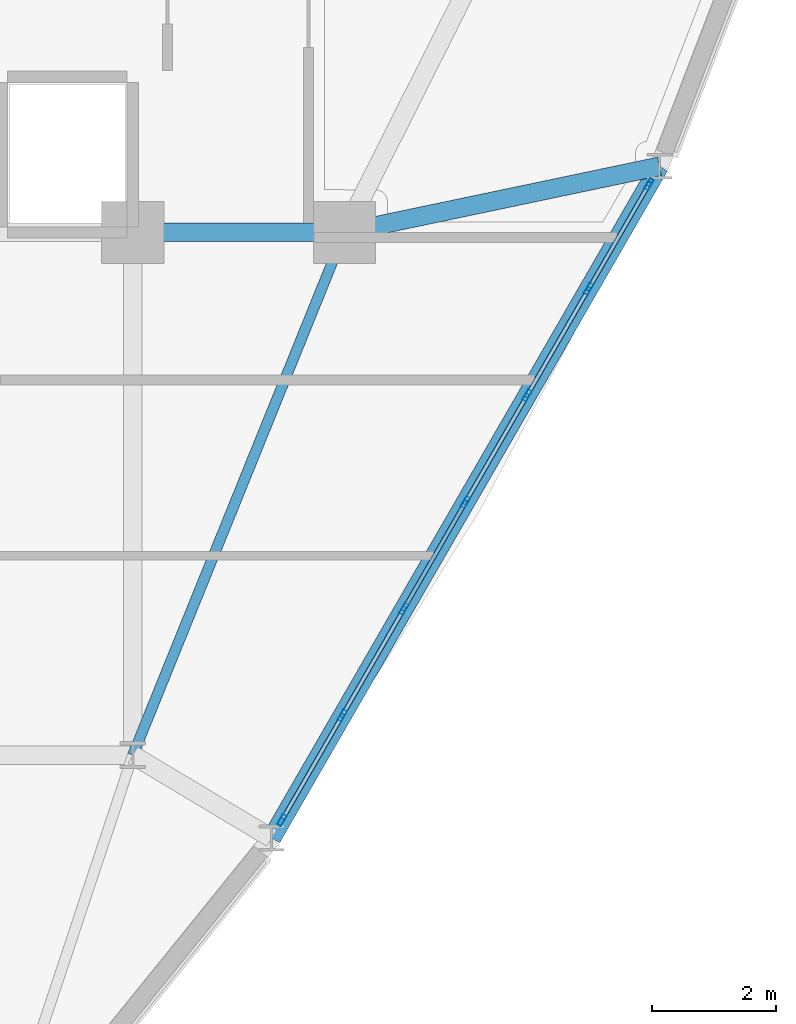
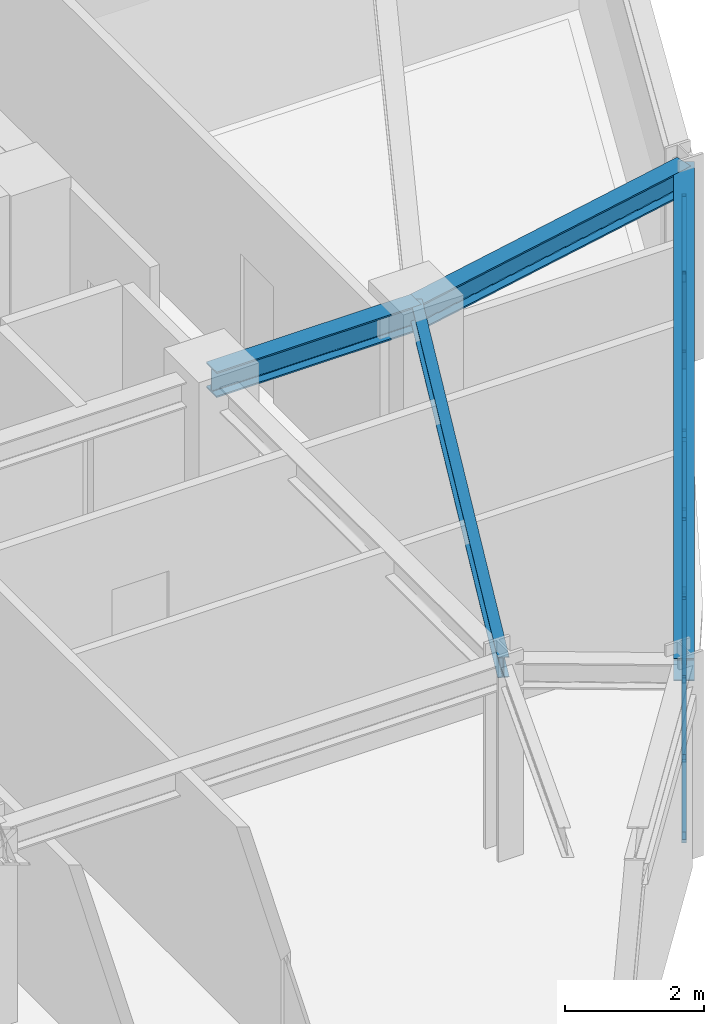
# One storey, part 6 of 14: 21 members, 4 beams, 1 element without a shape of its own.
"""IFC4 building model written with IfcOpenShell, lengths in metres."""

from ifc_helpers import new_model, si_unit, derived_unit, direction, frame, origin, origin_2d, place, context, subcontext, project, spatial, hollow_rectangle, i_section, extrude, source, transform, mapped, material, layer, layer_set, material_profile, profile_set, type_object, element, aggregate, save


model = new_model("IFC4")

# Units and contexts
model_context = context("Model", 3, precision=1e-05, world=origin(), true_north=direction((0.0, 1.0)))
body_context = subcontext(model_context, "Body", "Model", "MODEL_VIEW")
ifc_project = project(units=[si_unit("LENGTHUNIT", "METRE"), si_unit("AREAUNIT", "SQUARE_METRE"), si_unit("VOLUMEUNIT", "CUBIC_METRE"), si_unit("PLANEANGLEUNIT", "RADIAN"), si_unit("MASSUNIT", "GRAM", prefix="KILO"), derived_unit("THERMALTRANSMITTANCEUNIT", [(si_unit("POWERUNIT", "WATT"), 1), (si_unit("LENGTHUNIT", "METRE"), -2), (si_unit("THERMODYNAMICTEMPERATUREUNIT", "KELVIN"), -1)])], contexts=[model_context])

# Site, building, storey
site_placement = place(None, origin())
site = spatial("IfcSite", under=ifc_project, at=site_placement, CompositionType="ELEMENT")
building_placement = place(site_placement, origin())
building = spatial("IfcBuilding", under=site, at=building_placement, Name="Korsvarv Bourse and Concert Hall", CompositionType="ELEMENT")
storey_placement = place(building_placement, frame((0.0, 0.0, 193.800048828125)))
storey = spatial("IfcBuildingStorey", under=building, at=storey_placement, Name="L50", CompositionType="ELEMENT", Elevation=193.800048828125)

# Beams
ifc_material_1 = material(Name="Steel S355", Category="steel")
ifc_material_profile_1 = material_profile(ifc_material_1, i_section(OverallWidth=0.169921875, OverallDepth=0.360107421875, WebThickness=0.008056640625, FlangeThickness=0.0126953125, FilletRadius=0.01806640625, at=origin_2d()), Name="IPE 360")
ifc_profile_set_1 = profile_set([ifc_material_profile_1], Name="Steel S355")
beam_type_1 = type_object("IfcBeamType", Name="BM-IPE360", PredefinedType="JOIST", material=ifc_profile_set_1)
shared_shape_1 = source(origin(), body_context, "Body", "SweptSolid", [
    extrude(i_section(OverallWidth=0.169921875, OverallDepth=0.360107421875, WebThickness=0.008056640625, FlangeThickness=0.0126953125, FilletRadius=0.01806640625, at=origin_2d()), origin(), (0.0, 0.0, 1.0), 9.06201171875),
])
beam_1_placement = place(storey_placement, frame((47.800048828125, 32.39990234375, 3.219970703125), z_axis=(-0.375210394783, -0.926939674222, 0.0), x_axis=(0.926939674222, -0.375210394783, 0.0)))
element("IfcBeam", 1, at=beam_1_placement, inside=storey, type_object=beam_type_1, Name="L50 beam J-06", PredefinedType="JOIST", context=body_context, shape_type="MappedRepresentation", body=[
    mapped(shared_shape_1, transform((0.0, 0.0, 0.0), scale=1.0)),
])
ifc_material_profile_2 = material_profile(ifc_material_1, i_section(OverallWidth=0.300048828125, OverallDepth=0.449951171875, WebThickness=0.013916015625, FlangeThickness=0.02587890625, FilletRadius=0.02099609375, at=origin_2d()), Name="HEB 450")
ifc_profile_set_2 = profile_set([ifc_material_profile_2], Name="Steel S355")
beam_type_2 = type_object("IfcBeamType", Name="BM-HEB450", PredefinedType="SPANDREL", material=ifc_profile_set_2)
shared_shape_2 = source(origin(), body_context, "Body", "SweptSolid", [
    extrude(i_section(OverallWidth=0.300048828125, OverallDepth=0.449951171875, WebThickness=0.013916015625, FlangeThickness=0.02587890625, FilletRadius=0.02099609375, at=origin_2d()), origin(), (0.0, 0.0, 1.0), 3.400146484375),
])
beam_2_placement = place(storey_placement, frame((44.39990234375, 32.39990234375, 3.175048828125), z_axis=(1.0, 0.0, 0.0), x_axis=(0.0, 1.0, 0.0)))
element("IfcBeam", 2, at=beam_2_placement, inside=storey, type_object=beam_type_2, Name="L50 beam B-08", PredefinedType="SPANDREL", context=body_context, shape_type="MappedRepresentation", body=[
    mapped(shared_shape_2, transform((0.0, 0.0, 0.0), scale=1.0)),
])
ifc_material_profile_3 = material_profile(ifc_material_1, i_section(OverallWidth=0.300048828125, OverallDepth=0.389892578125, WebThickness=0.010986328125, FlangeThickness=0.01904296875, FilletRadius=0.02099609375, at=origin_2d()), Name="HEA 400")
ifc_profile_set_3 = profile_set([ifc_material_profile_3], Name="Steel S355")
beam_type_3 = type_object("IfcBeamType", Name="BM-HEA400", PredefinedType="BEAM", material=ifc_profile_set_3)
shared_shape_3 = source(origin(), body_context, "Body", "SweptSolid", [
    extrude(i_section(OverallWidth=0.300048828125, OverallDepth=0.389892578125, WebThickness=0.010986328125, FlangeThickness=0.01904296875, FilletRadius=0.02099609375, at=origin_2d()), origin(), (0.0, 0.0, 1.0), 12.46630859375),
])
beam_3_placement = place(storey_placement, frame((46.62890625, 22.666015625, 3.204833984375), z_axis=(0.499985219902, 0.86603393691, 0.0), x_axis=(-0.86603393691, 0.499985219902, 0.0)))
element("IfcBeam", 3, at=beam_3_placement, inside=storey, type_object=beam_type_3, Name="L50 beam B-11", PredefinedType="BEAM", context=body_context, shape_type="MappedRepresentation", body=[
    mapped(shared_shape_3, transform((0.0, 0.0, 0.0), scale=1.0)),
])
shared_shape_4 = source(origin(), body_context, "Body", "SweptSolid", [
    extrude(i_section(OverallWidth=0.300048828125, OverallDepth=0.449951171875, WebThickness=0.013916015625, FlangeThickness=0.02587890625, FilletRadius=0.02099609375, at=origin_2d()), origin(), (0.0, 0.0, 1.0), 5.172119140625),
])
beam_4_placement = place(storey_placement, frame((52.86181640625, 33.462158203125, 3.175048828125), z_axis=(-0.978681305513, -0.205384766328, 0.0), x_axis=(0.205384766328, -0.978681305513, 0.0)))
element("IfcBeam", 4, at=beam_4_placement, inside=storey, type_object=beam_type_2, Name="L50 beam B-08", PredefinedType="SPANDREL", context=body_context, shape_type="MappedRepresentation", body=[
    mapped(shared_shape_4, transform((0.0, 0.0, 0.0), scale=1.0)),
])

# Curtain wall, members
ifc_material_2 = material(Name="Anodised aluminium and triple low-E glazing", Category="glass")
ifc_layer = layer(ifc_material_2, 0.199951171875)
ifc_layer_set = layer_set([ifc_layer], Name="Anodised aluminium and triple low-E glazing")
curtain_wall_type = type_object("IfcCurtainWallType", Name="CW-SYS-3", PredefinedType="NOTDEFINED", material=ifc_layer_set)
curtain_wall_placement = place(storey_placement, origin())
curtain_wall = element("IfcCurtainWall", 5, at=curtain_wall_placement, inside=storey, type_object=curtain_wall_type, Name="L50 CW3 curtain wall CW-L50-F11", PredefinedType="NOTDEFINED")
ifc_material_3 = material(Name="Extruded aluminium EN AW-6063 T66", Category="aluminium")
ifc_material_profile_4 = material_profile(ifc_material_3, hollow_rectangle(XDim=0.06494140625, YDim=0.139892578125, WallThickness=0.00390625, at=origin_2d()), Name="ALU-T 65x140")
ifc_profile_set_4 = profile_set([ifc_material_profile_4], Name="Extruded aluminium EN AW-6063 T66")
member_type_1 = type_object("IfcMemberType", Name="CWT-140", PredefinedType="USERDEFINED", material=ifc_profile_set_4)
shared_shape_5 = source(origin(), body_context, "Body", "SweptSolid", [
    extrude(hollow_rectangle(XDim=0.06494140625, YDim=0.139892578125, WallThickness=0.00390625, at=origin_2d()), origin(), (0.0, 0.0, 1.0), 1.908447265625),
])
member_1_placement = place(storey_placement, frame((47.784423828125, 24.667724609375, 0.032470703125), z_axis=(0.500032491935, 0.866006643745, 0.0), x_axis=(-0.866006643745, 0.500032491935, 0.0)))
member_1 = element("IfcMember", 6, at=member_1_placement, type_object=member_type_1, Name="CW3 transom 2.1", ObjectType="TRANSOM", PredefinedType="USERDEFINED", context=body_context, shape_type="MappedRepresentation", body=[
    mapped(shared_shape_5, transform((0.0, 0.0, 0.0), scale=1.0)),
])
member_2_placement = place(storey_placement, frame((47.784423828125, 24.667724609375, 2.9775390625), z_axis=(0.500032491935, 0.866006643745, 0.0), x_axis=(-0.866006643745, 0.500032491935, 0.0)))
member_2 = element("IfcMember", 7, at=member_2_placement, type_object=member_type_1, Name="CW3 transom 2.2", ObjectType="TRANSOM", PredefinedType="USERDEFINED", context=body_context, shape_type="MappedRepresentation", body=[
    mapped(shared_shape_5, transform((0.0, 0.0, 0.0), scale=1.0)),
])
member_3_placement = place(storey_placement, frame((48.773681640625, 26.381103515625, 0.032470703125), z_axis=(0.499936548189, 0.866062034606, 0.0), x_axis=(-0.866062034606, 0.499936548189, 0.0)))
member_3 = element("IfcMember", 8, at=member_3_placement, type_object=member_type_1, Name="CW3 transom 3.1", ObjectType="TRANSOM", PredefinedType="USERDEFINED", context=body_context, shape_type="MappedRepresentation", body=[
    mapped(shared_shape_5, transform((0.0, 0.0, 0.0), scale=1.0)),
])
member_4_placement = place(storey_placement, frame((48.773681640625, 26.381103515625, 2.9775390625), z_axis=(0.499936548189, 0.866062034606, 0.0), x_axis=(-0.866062034606, 0.499936548189, 0.0)))
member_4 = element("IfcMember", 9, at=member_4_placement, type_object=member_type_1, Name="CW3 transom 3.2", ObjectType="TRANSOM", PredefinedType="USERDEFINED", context=body_context, shape_type="MappedRepresentation", body=[
    mapped(shared_shape_5, transform((0.0, 0.0, 0.0), scale=1.0)),
])
member_5_placement = place(storey_placement, frame((50.751953125, 29.807861328125, 0.032470703125), z_axis=(0.500087889681, 0.865974654707, 0.0), x_axis=(-0.865974654707, 0.500087889681, 0.0)))
member_5 = element("IfcMember", 10, at=member_5_placement, type_object=member_type_1, Name="CW3 transom 5.1", ObjectType="TRANSOM", PredefinedType="USERDEFINED", context=body_context, shape_type="MappedRepresentation", body=[
    mapped(shared_shape_5, transform((0.0, 0.0, 0.0), scale=1.0)),
])
member_6_placement = place(storey_placement, frame((50.751953125, 29.807861328125, 2.9775390625), z_axis=(0.500087889681, 0.865974654707, 0.0), x_axis=(-0.865974654707, 0.500087889681, 0.0)))
member_6 = element("IfcMember", 11, at=member_6_placement, type_object=member_type_1, Name="CW3 transom 5.2", ObjectType="TRANSOM", PredefinedType="USERDEFINED", context=body_context, shape_type="MappedRepresentation", body=[
    mapped(shared_shape_5, transform((0.0, 0.0, 0.0), scale=1.0)),
])
ifc_material_profile_5 = material_profile(ifc_material_3, hollow_rectangle(XDim=0.070068359375, YDim=0.18994140625, WallThickness=0.0048828125, at=origin_2d()), Name="ALU-M 70x190")
ifc_profile_set_5 = profile_set([ifc_material_profile_5], Name="Extruded aluminium EN AW-6063 T66")
member_type_2 = type_object("IfcMemberType", Name="CWM-190", PredefinedType="MULLION", material=ifc_profile_set_5)
shared_shape_6 = source(origin(), body_context, "Body", "SweptSolid", [
    extrude(hollow_rectangle(XDim=0.070068359375, YDim=0.18994140625, WallThickness=0.0048828125, at=origin_2d()), origin(), (0.0, 0.0, 1.0), 3.010009765625),
])
member_7_placement = place(storey_placement, frame((46.79541015625, 22.954345703125, 0.0), z_axis=(0.0, 0.0, 1.0), x_axis=(-0.866029726531, 0.499992512708, 0.0)))
member_7 = element("IfcMember", 12, at=member_7_placement, type_object=member_type_2, Name="CW3 mullion 1", PredefinedType="MULLION", context=body_context, shape_type="MappedRepresentation", body=[
    mapped(shared_shape_6, transform((0.0, 0.0, 0.0), scale=1.0)),
])
member_8_placement = place(storey_placement, frame((47.76708984375, 24.637451171875, 0.0), z_axis=(0.0, 0.0, 1.0), x_axis=(-0.866029726531, 0.499992512708, 0.0)))
member_8 = element("IfcMember", 13, at=member_8_placement, type_object=member_type_2, Name="CW3 mullion 2", PredefinedType="MULLION", context=body_context, shape_type="MappedRepresentation", body=[
    mapped(shared_shape_6, transform((0.0, 0.0, 0.0), scale=1.0)),
])
member_9_placement = place(storey_placement, frame((48.756103515625, 26.350830078125, 0.0), z_axis=(0.0, 0.0, 1.0), x_axis=(-0.866029726531, 0.499992512708, 0.0)))
member_9 = element("IfcMember", 14, at=member_9_placement, type_object=member_type_2, Name="CW3 mullion 3", PredefinedType="MULLION", context=body_context, shape_type="MappedRepresentation", body=[
    mapped(shared_shape_6, transform((0.0, 0.0, 0.0), scale=1.0)),
])
member_10_placement = place(storey_placement, frame((49.745361328125, 28.064208984375, 0.0), z_axis=(0.0, 0.0, 1.0), x_axis=(-0.866029726531, 0.499992512708, 0.0)))
member_10 = element("IfcMember", 15, at=member_10_placement, type_object=member_type_2, Name="CW3 mullion 4", PredefinedType="MULLION", context=body_context, shape_type="MappedRepresentation", body=[
    mapped(shared_shape_6, transform((0.0, 0.0, 0.0), scale=1.0)),
])
member_11_placement = place(storey_placement, frame((50.734619140625, 29.777587890625, 0.0), z_axis=(0.0, 0.0, 1.0), x_axis=(-0.866029726531, 0.499992512708, 0.0)))
member_11 = element("IfcMember", 16, at=member_11_placement, type_object=member_type_2, Name="CW3 mullion 5", PredefinedType="MULLION", context=body_context, shape_type="MappedRepresentation", body=[
    mapped(shared_shape_6, transform((0.0, 0.0, 0.0), scale=1.0)),
])
member_12_placement = place(storey_placement, frame((51.7236328125, 31.490966796875, 0.0), z_axis=(0.0, 0.0, 1.0), x_axis=(-0.866029726531, 0.499992512708, 0.0)))
member_12 = element("IfcMember", 17, at=member_12_placement, type_object=member_type_2, Name="CW3 mullion 6", PredefinedType="MULLION", context=body_context, shape_type="MappedRepresentation", body=[
    mapped(shared_shape_6, transform((0.0, 0.0, 0.0), scale=1.0)),
])
member_13_placement = place(storey_placement, frame((52.6953125, 33.173828125, 0.0), z_axis=(0.0, 0.0, 1.0), x_axis=(-0.866029726531, 0.499992512708, 0.0)))
member_13 = element("IfcMember", 18, at=member_13_placement, type_object=member_type_2, Name="CW3 mullion 7", PredefinedType="MULLION", context=body_context, shape_type="MappedRepresentation", body=[
    mapped(shared_shape_6, transform((0.0, 0.0, 0.0), scale=1.0)),
])
shared_shape_7 = source(origin(), body_context, "Body", "SweptSolid", [
    extrude(hollow_rectangle(XDim=0.06494140625, YDim=0.139892578125, WallThickness=0.00390625, at=origin_2d()), origin(), (0.0, 0.0, 1.0), 1.873291015625),
])
member_14_placement = place(storey_placement, frame((51.7412109375, 31.521240234375, 0.032470703125), z_axis=(0.500049599607, 0.865996765544, 0.0), x_axis=(-0.865996765544, 0.500049599607, 0.0)))
member_14 = element("IfcMember", 19, at=member_14_placement, type_object=member_type_1, Name="CW3 transom 6.1", ObjectType="TRANSOM", PredefinedType="USERDEFINED", context=body_context, shape_type="MappedRepresentation", body=[
    mapped(shared_shape_7, transform((0.0, 0.0, 0.0), scale=1.0)),
])
member_15_placement = place(storey_placement, frame((51.7412109375, 31.521240234375, 2.9775390625), z_axis=(0.500049599607, 0.865996765544, 0.0), x_axis=(-0.865996765544, 0.500049599607, 0.0)))
member_15 = element("IfcMember", 20, at=member_15_placement, type_object=member_type_1, Name="CW3 transom 6.2", ObjectType="TRANSOM", PredefinedType="USERDEFINED", context=body_context, shape_type="MappedRepresentation", body=[
    mapped(shared_shape_7, transform((0.0, 0.0, 0.0), scale=1.0)),
])
shared_shape_8 = source(origin(), body_context, "Body", "SweptSolid", [
    extrude(hollow_rectangle(XDim=0.06494140625, YDim=0.139892578125, WallThickness=0.00390625, at=origin_2d()), origin(), (0.0, 0.0, 1.0), 1.908203125),
])
member_16_placement = place(storey_placement, frame((49.762939453125, 28.094482421875, 0.032470703125), z_axis=(0.499991942392, 0.866030055796, 0.0), x_axis=(-0.866030055796, 0.499991942392, 0.0)))
member_16 = element("IfcMember", 21, at=member_16_placement, type_object=member_type_1, Name="CW3 transom 4.1", ObjectType="TRANSOM", PredefinedType="USERDEFINED", context=body_context, shape_type="MappedRepresentation", body=[
    mapped(shared_shape_8, transform((0.0, 0.0, 0.0), scale=1.0)),
])
member_17_placement = place(storey_placement, frame((49.762939453125, 28.094482421875, 2.9775390625), z_axis=(0.499991942392, 0.866030055796, 0.0), x_axis=(-0.866030055796, 0.499991942392, 0.0)))
member_17 = element("IfcMember", 22, at=member_17_placement, type_object=member_type_1, Name="CW3 transom 4.2", ObjectType="TRANSOM", PredefinedType="USERDEFINED", context=body_context, shape_type="MappedRepresentation", body=[
    mapped(shared_shape_8, transform((0.0, 0.0, 0.0), scale=1.0)),
])
shared_shape_9 = source(origin(), body_context, "Body", "SweptSolid", [
    extrude(hollow_rectangle(XDim=0.06494140625, YDim=0.139892578125, WallThickness=0.00390625, at=origin_2d()), origin(), (0.0, 0.0, 1.0), 1.87353515625),
])
member_18_placement = place(storey_placement, frame((46.812744140625, 22.984619140625, 0.032470703125), z_axis=(0.49999316964, 0.866029347258, 0.0), x_axis=(-0.866029347258, 0.49999316964, 0.0)))
member_18 = element("IfcMember", 23, at=member_18_placement, type_object=member_type_1, Name="CW3 transom 1.1", ObjectType="TRANSOM", PredefinedType="USERDEFINED", context=body_context, shape_type="MappedRepresentation", body=[
    mapped(shared_shape_9, transform((0.0, 0.0, 0.0), scale=1.0)),
])
member_19_placement = place(storey_placement, frame((46.812744140625, 22.984619140625, 2.9775390625), z_axis=(0.49999316964, 0.866029347258, 0.0), x_axis=(-0.866029347258, 0.49999316964, 0.0)))
member_19 = element("IfcMember", 24, at=member_19_placement, type_object=member_type_1, Name="CW3 transom 1.2", ObjectType="TRANSOM", PredefinedType="USERDEFINED", context=body_context, shape_type="MappedRepresentation", body=[
    mapped(shared_shape_9, transform((0.0, 0.0, 0.0), scale=1.0)),
])
ifc_material_profile_6 = material_profile(ifc_material_3, hollow_rectangle(XDim=0.06494140625, YDim=0.1650390625, WallThickness=0.0048828125, at=origin_2d()), Name="ALU-M 65x165")
ifc_profile_set_6 = profile_set([ifc_material_profile_6], Name="Extruded aluminium EN AW-6063 T66")
member_type_3 = type_object("IfcMemberType", Name="CWM-165", PredefinedType="MULLION", material=ifc_profile_set_6)
shared_shape_10 = source(origin(), body_context, "Body", "SweptSolid", [
    extrude(hollow_rectangle(XDim=0.06494140625, YDim=0.1650390625, WallThickness=0.0048828125, at=origin_2d()), origin(), (0.0, 0.0, 1.0), 3.435791015625),
])
member_20_placement = place(storey_placement, frame((52.677978515625, 33.1435546875, 0.06494140625), z_axis=(-0.27265080526, -0.472182590813, 0.838275097641), x_axis=(0.865996765544, -0.500049599607, 0.0)))
member_20 = element("IfcMember", 25, at=member_20_placement, type_object=member_type_3, Name="CW3 diagonal mullion 6", PredefinedType="MULLION", context=body_context, shape_type="MappedRepresentation", body=[
    mapped(shared_shape_10, transform((0.0, 0.0, 0.0), scale=1.0)),
])
shared_shape_11 = source(origin(), body_context, "Body", "SweptSolid", [
    extrude(hollow_rectangle(XDim=0.06494140625, YDim=0.1650390625, WallThickness=0.0048828125, at=origin_2d()), origin(), (0.0, 0.0, 1.0), 3.455078125),
])
member_21_placement = place(storey_placement, frame((48.773681640625, 26.381103515625, 0.06494140625), z_axis=(0.276147838251, 0.478383025834, 0.833601854618), x_axis=(-0.866062034606, 0.499936548189, 0.0)))
member_21 = element("IfcMember", 26, at=member_21_placement, type_object=member_type_3, Name="CW3 diagonal mullion 3", PredefinedType="MULLION", context=body_context, shape_type="MappedRepresentation", body=[
    mapped(shared_shape_11, transform((0.0, 0.0, 0.0), scale=1.0)),
])
aggregate(curtain_wall, [member_7, member_8, member_9, member_10, member_11, member_12, member_13, member_18, member_19, member_1, member_2, member_3, member_4, member_21, member_16, member_17, member_5, member_6, member_14, member_15, member_20])

save(model, "model.ifc")
